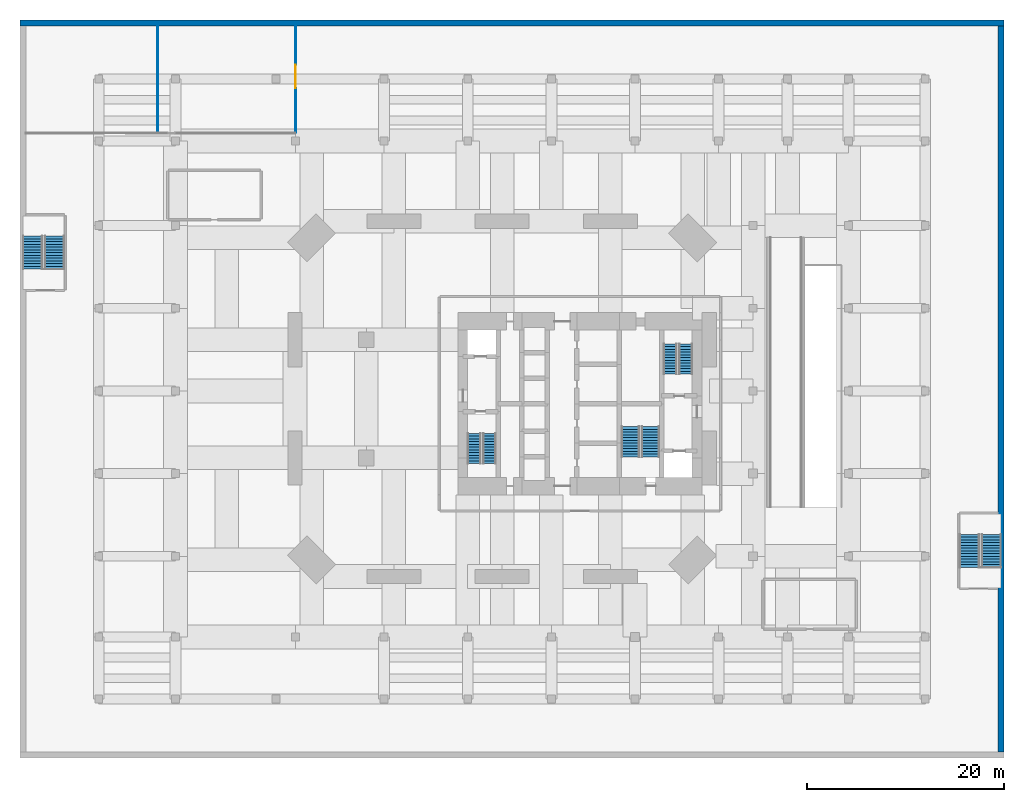
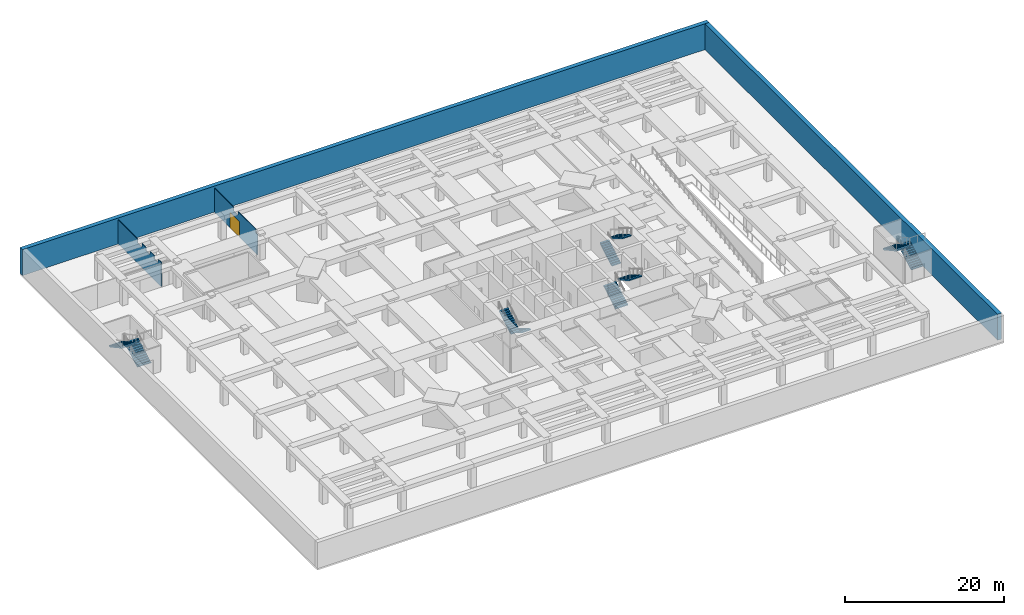
# One storey, part 8 of 10: 10 stair flights, 4 walls, 1 door, 1 opening, 5 elements without a shape of their own.
"""IFC4 building model written with IfcOpenShell, lengths in metres."""

from ifc_helpers import new_model, si_unit, direction, frame, frame_2d, origin, place, context, subcontext, project, spatial, polyline, rectangle, outline, extrude, material, layer, layer_set, constituent, constituent_set, type_object, element, fill, aggregate, save


model = new_model("IFC4")

# Units and contexts
model_context = context("Model", 3, precision=1e-05, world=origin(), true_north=direction((0.0, 1.0)))
body_context = subcontext(model_context, "Body", "Model", "MODEL_VIEW")
ifc_project = project(units=[si_unit("LENGTHUNIT", "METRE"), si_unit("AREAUNIT", "SQUARE_METRE"), si_unit("VOLUMEUNIT", "CUBIC_METRE"), si_unit("PLANEANGLEUNIT", "RADIAN"), si_unit("MASSUNIT", "GRAM", prefix="KILO")], contexts=[model_context])

# Site, building, storey
site_placement = place(None, origin())
site = spatial("IfcSite", under=ifc_project, at=site_placement, CompositionType="ELEMENT")
building_placement = place(site_placement, origin())
building = spatial("IfcBuilding", under=site, at=building_placement, Name="Jalousie Tower", CompositionType="ELEMENT")
storey_placement = place(building_placement, frame((0.0, 0.0, -4.0)))
storey = spatial("IfcBuildingStorey", under=building, at=storey_placement, Name="B1", CompositionType="ELEMENT", Elevation=-4.0)

# Walls
ifc_material_1 = material(Name="Concrete f'c 120 MPa", Category="concrete")
ifc_layer = layer(ifc_material_1, 0.60009765625)
ifc_layer_set = layer_set([ifc_layer], Name="Concrete f'c 120 MPa")
wall_type_1 = type_object("IfcWallType", Name="BASEMENT RETAINING WALL 600", PredefinedType="SOLIDWALL", material=ifc_layer_set)
wall_1_placement = place(storey_placement, frame((74.699951171875, -16.89990234375, 0.0), z_axis=(0.0, 0.0, 1.0), x_axis=(0.0, 1.0, 0.0)))
element("IfcWall", 1, at=wall_1_placement, inside=storey, type_object=wall_type_1, Name="Basement wall E B1", PredefinedType="SOLIDWALL", context=body_context, shape_type="SweptSolid", body=[
    extrude(rectangle(XDim=73.7998046875, YDim=0.60009765625, at=frame_2d((36.89990234375, 0.0))), origin(), (0.0, 0.0, 1.0), 4.0),
])
wall_2_placement = place(storey_placement, frame((75.0, 57.199951171875, 0.0), z_axis=(0.0, 0.0, 1.0), x_axis=(-1.0, 0.0, 0.0)))
element("IfcWall", 2, at=wall_2_placement, inside=storey, type_object=wall_type_1, Name="Basement wall N B1", PredefinedType="SOLIDWALL", context=body_context, shape_type="SweptSolid", body=[
    extrude(rectangle(XDim=100.0, YDim=0.60009765625, at=frame_2d((50.0, 0.0))), origin(), (0.0, 0.0, 1.0), 4.0),
])

# Wall, opening, door
ifc_material_2 = material(Name="Type X gypsum board", Category="gypsum")
ifc_constituent_1 = constituent(ifc_material_2, Name="Body")
ifc_material_3 = material(Name="Light-gauge steel studs ASTM A653 SS Grade 33", Category="steel")
ifc_constituent_2 = constituent(ifc_material_3, Name="Framing")
ifc_constituent_set_1 = constituent_set(constituents=[ifc_constituent_1, ifc_constituent_2])
wall_type_2 = type_object("IfcWallType", Name="FIRE PARTITION 100", PredefinedType="PARTITIONING", material=ifc_constituent_set_1)
wall_3_placement = place(storey_placement, frame((3.0, 46.050048828125, 0.0), z_axis=(0.0, 0.0, 1.0), x_axis=(0.0, 1.0, 0.0)))
wall_3 = element("IfcWall", 3, at=wall_3_placement, inside=storey, type_object=wall_type_2, Name="Fire Partition 100 B1", PredefinedType="PARTITIONING", context=body_context, shape_type="SweptSolid", body=[
    extrude(outline(polyline([(0.0, 0.0), (10.849853515625, 0.0), (10.85009765625, 3.719970703125), (6.010009765625, 3.719970703125), (6.010009765625, 3.1201171875), (4.889892578125, 3.1201171875), (4.889892578125, 3.719970703125), (0.409912109375, 3.719970703125), (0.409912109375, 3.1201171875), (0.0, 3.1201171875), (0.0, 3.719970703125), (0.0, 0.0)])), frame((0.0, 0.050048828125, 0.0), z_axis=(0.0, -1.0, 0.0), x_axis=(1.0, 0.0, 0.0)), (0.0, 0.0, 1.0), 0.10009765625),
])
opening_placement = place(wall_3_placement, frame((4.5, 0.0, 0.0)))
opening = element("IfcOpeningElement", 4, at=opening_placement, cuts=wall_3, Name="Opening D9", PredefinedType="OPENING", context=body_context, shape_type="SweptSolid", body=[
    extrude(rectangle(XDim=2.39990234375, YDim=2.39990234375, at=frame_2d((1.199951171875, 1.199951171875))), frame((0.0, 0.06005859375, 0.0), z_axis=(0.0, -1.0, 0.0), x_axis=(1.0, 0.0, 0.0)), (0.0, 0.0, 1.0), 0.1201171875),
])
ifc_material_4 = material(Name="Steel fire door", Category="steel")
door_type = type_object("IfcDoorType", Name="PLANT DOOR 2400", OperationType="DOUBLE_DOOR_SINGLE_SWING", PredefinedType="DOOR", material=ifc_material_4)
door_placement = place(opening_placement, origin())
door = element("IfcDoor", 5, at=door_placement, inside=storey, type_object=door_type, Name="Plant room door", OperationType="DOUBLE_DOOR_SINGLE_SWING", OverallHeight=2.39990234375, OverallWidth=2.39990234375, PredefinedType="DOOR", context=body_context, shape_type="SweptSolid", body=[
    extrude(rectangle(XDim=2.39990234375, YDim=2.39990234375, at=frame_2d((1.199951171875, 1.199951171875))), frame((0.0, 0.02490234375, 0.0), z_axis=(0.0, -1.0, 0.0), x_axis=(1.0, 0.0, 0.0)), (0.0, 0.0, 1.0), 0.050048828125),
])
fill(opening, door)

# Wall
ifc_material_5 = material(Name="Gypsum board", Category="gypsum")
ifc_constituent_3 = constituent(ifc_material_5, Name="Body")
ifc_material_6 = material(Name="Light-gauge steel studs ASTM A653 SS Grade 33", Category="steel")
ifc_constituent_4 = constituent(ifc_material_6, Name="Framing")
ifc_constituent_set_2 = constituent_set(constituents=[ifc_constituent_3, ifc_constituent_4])
wall_type_3 = type_object("IfcWallType", Name="PARTITION 100", PredefinedType="PARTITIONING", material=ifc_constituent_set_2)
wall_4_placement = place(storey_placement, frame((-11.0, 46.050048828125, 0.0), z_axis=(0.0, 0.0, 1.0), x_axis=(0.0, 1.0, 0.0)))
element("IfcWall", 6, at=wall_4_placement, inside=storey, type_object=wall_type_3, Name="Partition 100 B1", PredefinedType="PARTITIONING", context=body_context, shape_type="SweptSolid", body=[
    extrude(outline(polyline([(0.0, 0.0), (10.849853515625, 0.0), (10.85009765625, 3.719970703125), (6.010009765625, 3.719970703125), (6.010009765625, 3.1201171875), (4.889892578125, 3.1201171875), (4.889892578125, 3.719970703125), (3.860107421875, 3.719970703125), (3.860107421875, 3.219970703125), (2.840087890625, 3.219970703125), (2.840087890625, 3.719970703125), (1.760009765625, 3.719970703125), (1.760009765625, 3.219970703125), (0.739990234375, 3.219970703125), (0.739990234375, 3.719970703125), (0.0, 3.719970703125), (0.0, 0.0)])), frame((0.0, 0.050048828125, 0.0), z_axis=(0.0, -1.0, 0.0), x_axis=(1.0, 0.0, 0.0)), (0.0, 0.0, 1.0), 0.10009765625),
])

# Stair, stair flights
ifc_material_7 = material(Name="Concrete f'c 40 MPa", Category="concrete")
stair_type_1 = type_object("IfcStairType", Name="EXIT STAIR", PredefinedType="HALF_TURN_STAIR", material=ifc_material_7)
stair_1_placement = place(storey_placement, origin())
stair_1 = element("IfcStair", 7, at=stair_1_placement, inside=storey, type_object=stair_type_1, Name="Exit stair A B1", PredefinedType="HALF_TURN_STAIR")
ifc_material_8 = material(Name="Concrete f'c 40 MPa", Category="concrete")
stair_flight_type_1 = type_object("IfcStairFlightType", Name="STAIR FLIGHT", PredefinedType="STRAIGHT", material=ifc_material_8)
stair_flight_1_placement = place(storey_placement, frame((22.71875, 15.49755859375, 0.0), z_axis=(0.0, 0.0, 1.0), x_axis=(0.0, -1.0, 0.0)))
stair_flight_1 = element("IfcStairFlight", 8, at=stair_flight_1_placement, type_object=stair_flight_type_1, Name="ST-A flight 1", NumberOfRisers=12, NumberOfTreads=11, PredefinedType="STRAIGHT", RiserHeight=0.166666667, TreadLength=0.28, context=body_context, shape_type="SweptSolid", body=[
    extrude(outline(polyline([(0.0, 0.0), (0.0, 0.166748046875), (0.280029296875, 0.166748046875), (0.280029296875, 0.333251953125), (0.56005859375, 0.333251953125), (0.56005859375, 0.5), (0.840087890625, 0.5), (0.840087890625, 0.666748046875), (1.1201171875, 0.666748046875), (1.1201171875, 0.833251953125), (1.39990234375, 0.833251953125), (1.39990234375, 1.0), (1.679931640625, 1.0), (1.679931640625, 1.166748046875), (1.9599609375, 1.166748046875), (1.9599609375, 1.333251953125), (2.239990234375, 1.333251953125), (2.239990234375, 1.5), (2.52001953125, 1.5), (2.52001953125, 1.666748046875), (2.800048828125, 1.666748046875), (2.800048828125, 1.833251953125), (3.080078125, 1.833251953125), (3.080078125, 2.0), (3.080078125, 1.658935546875), (0.29296875, 0.0), (0.0, 0.0)])), frame((0.0, 0.65625, 0.0), z_axis=(0.0, -1.0, 0.0), x_axis=(1.0, 0.0, 0.0)), (0.0, 0.0, 1.0), 1.3125),
])
stair_flight_2_placement = place(storey_placement, frame((21.15625, 12.41748046875, 2.0), z_axis=(0.0, 0.0, 1.0), x_axis=(0.0, 1.0, 0.0)))
stair_flight_2 = element("IfcStairFlight", 9, at=stair_flight_2_placement, type_object=stair_flight_type_1, Name="ST-A flight 2", NumberOfRisers=12, NumberOfTreads=11, PredefinedType="STRAIGHT", RiserHeight=0.166666667, TreadLength=0.28, context=body_context, shape_type="SweptSolid", body=[
    extrude(outline(polyline([(0.0, 0.0), (0.0, 0.166748046875), (0.280029296875, 0.166748046875), (0.280029296875, 0.333251953125), (0.56005859375, 0.333251953125), (0.56005859375, 0.5), (0.840087890625, 0.5), (0.840087890625, 0.666748046875), (1.1201171875, 0.666748046875), (1.1201171875, 0.833251953125), (1.39990234375, 0.833251953125), (1.39990234375, 1.0), (1.679931640625, 1.0), (1.679931640625, 1.166748046875), (1.9599609375, 1.166748046875), (1.9599609375, 1.333251953125), (2.239990234375, 1.333251953125), (2.239990234375, 1.5), (2.52001953125, 1.5), (2.52001953125, 1.666748046875), (2.800048828125, 1.666748046875), (2.800048828125, 1.833251953125), (3.080078125, 1.833251953125), (3.080078125, 2.0), (3.080078125, 1.658935546875), (0.29296875, 0.0), (0.0, 0.0)])), frame((0.0, 0.65625, 0.0), z_axis=(0.0, -1.0, 0.0), x_axis=(1.0, 0.0, 0.0)), (0.0, 0.0, 1.0), 1.3125),
])
aggregate(stair_1, [stair_flight_1, stair_flight_2])

stair_2_placement = place(storey_placement, origin())
stair_2 = element("IfcStair", 10, at=stair_2_placement, inside=storey, type_object=stair_type_1, Name="Exit stair B B1", PredefinedType="HALF_TURN_STAIR")
stair_flight_3_placement = place(storey_placement, frame((41.081298828125, 21.50244140625, 0.0), z_axis=(0.0, 0.0, 1.0), x_axis=(0.0, 1.0, 0.0)))
stair_flight_3 = element("IfcStairFlight", 11, at=stair_flight_3_placement, type_object=stair_flight_type_1, Name="ST-B flight 1", NumberOfRisers=12, NumberOfTreads=11, PredefinedType="STRAIGHT", RiserHeight=0.166666667, TreadLength=0.28, context=body_context, shape_type="SweptSolid", body=[
    extrude(outline(polyline([(0.0, 0.0), (0.0, 0.166748046875), (0.280029296875, 0.166748046875), (0.280029296875, 0.333251953125), (0.56005859375, 0.333251953125), (0.56005859375, 0.5), (0.840087890625, 0.5), (0.840087890625, 0.666748046875), (1.1201171875, 0.666748046875), (1.1201171875, 0.833251953125), (1.39990234375, 0.833251953125), (1.39990234375, 1.0), (1.679931640625, 1.0), (1.679931640625, 1.166748046875), (1.9599609375, 1.166748046875), (1.9599609375, 1.333251953125), (2.239990234375, 1.333251953125), (2.239990234375, 1.5), (2.52001953125, 1.5), (2.52001953125, 1.666748046875), (2.800048828125, 1.666748046875), (2.800048828125, 1.833251953125), (3.080078125, 1.833251953125), (3.080078125, 2.0), (3.080078125, 1.658935546875), (0.29296875, 0.0), (0.0, 0.0)])), frame((0.0, 0.65625, 0.0), z_axis=(0.0, -1.0, 0.0), x_axis=(1.0, 0.0, 0.0)), (0.0, 0.0, 1.0), 1.3125),
])
stair_flight_4_placement = place(storey_placement, frame((42.643798828125, 24.58251953125, 2.0), z_axis=(0.0, 0.0, 1.0), x_axis=(0.0, -1.0, 0.0)))
stair_flight_4 = element("IfcStairFlight", 12, at=stair_flight_4_placement, type_object=stair_flight_type_1, Name="ST-B flight 2", NumberOfRisers=12, NumberOfTreads=11, PredefinedType="STRAIGHT", RiserHeight=0.166666667, TreadLength=0.28, context=body_context, shape_type="SweptSolid", body=[
    extrude(outline(polyline([(0.0, 0.0), (0.0, 0.166748046875), (0.280029296875, 0.166748046875), (0.280029296875, 0.333251953125), (0.56005859375, 0.333251953125), (0.56005859375, 0.5), (0.840087890625, 0.5), (0.840087890625, 0.666748046875), (1.1201171875, 0.666748046875), (1.1201171875, 0.833251953125), (1.39990234375, 0.833251953125), (1.39990234375, 1.0), (1.679931640625, 1.0), (1.679931640625, 1.166748046875), (1.9599609375, 1.166748046875), (1.9599609375, 1.333251953125), (2.239990234375, 1.333251953125), (2.239990234375, 1.5), (2.52001953125, 1.5), (2.52001953125, 1.666748046875), (2.800048828125, 1.666748046875), (2.800048828125, 1.833251953125), (3.080078125, 1.833251953125), (3.080078125, 2.0), (3.080078125, 1.658935546875), (0.29296875, 0.0), (0.0, 0.0)])), frame((0.0, 0.65625, 0.0), z_axis=(0.0, -1.0, 0.0), x_axis=(1.0, 0.0, 0.0)), (0.0, 0.0, 1.0), 1.3125),
])
aggregate(stair_2, [stair_flight_3, stair_flight_4])

stair_3_placement = place(storey_placement, origin())
stair_3 = element("IfcStair", 13, at=stair_3_placement, inside=storey, type_object=stair_type_1, Name="Exit stair C B1", PredefinedType="HALF_TURN_STAIR")
stair_flight_5_placement = place(storey_placement, frame((37.02490234375, 13.097412109375, 0.0), z_axis=(0.0, 0.0, 1.0), x_axis=(0.0, 1.0, 0.0)))
stair_flight_5 = element("IfcStairFlight", 14, at=stair_flight_5_placement, type_object=stair_flight_type_1, Name="ST-C flight 1", NumberOfRisers=12, NumberOfTreads=11, PredefinedType="STRAIGHT", RiserHeight=0.166666667, TreadLength=0.28, context=body_context, shape_type="SweptSolid", body=[
    extrude(outline(polyline([(0.0, 0.0), (0.0, 0.166748046875), (0.280029296875, 0.166748046875), (0.280029296875, 0.333251953125), (0.56005859375, 0.333251953125), (0.56005859375, 0.5), (0.840087890625, 0.5), (0.840087890625, 0.666748046875), (1.1201171875, 0.666748046875), (1.1201171875, 0.833251953125), (1.39990234375, 0.833251953125), (1.39990234375, 1.0), (1.679931640625, 1.0), (1.679931640625, 1.166748046875), (1.9599609375, 1.166748046875), (1.9599609375, 1.333251953125), (2.239990234375, 1.333251953125), (2.239990234375, 1.5), (2.52001953125, 1.5), (2.52001953125, 1.666748046875), (2.800048828125, 1.666748046875), (2.800048828125, 1.833251953125), (3.080078125, 1.833251953125), (3.080078125, 2.0), (3.080078125, 1.658935546875), (0.29296875, 0.0), (0.0, 0.0)])), frame((0.0, 0.89990234375, 0.0), z_axis=(0.0, -1.0, 0.0), x_axis=(1.0, 0.0, 0.0)), (0.0, 0.0, 1.0), 1.800048828125),
])
stair_flight_6_placement = place(storey_placement, frame((39.074951171875, 16.177490234375, 2.0), z_axis=(0.0, 0.0, 1.0), x_axis=(0.0, -1.0, 0.0)))
stair_flight_6 = element("IfcStairFlight", 15, at=stair_flight_6_placement, type_object=stair_flight_type_1, Name="ST-C flight 2", NumberOfRisers=12, NumberOfTreads=11, PredefinedType="STRAIGHT", RiserHeight=0.166666667, TreadLength=0.28, context=body_context, shape_type="SweptSolid", body=[
    extrude(outline(polyline([(0.0, 0.0), (0.0, 0.166748046875), (0.280029296875, 0.166748046875), (0.280029296875, 0.333251953125), (0.56005859375, 0.333251953125), (0.56005859375, 0.5), (0.840087890625, 0.5), (0.840087890625, 0.666748046875), (1.1201171875, 0.666748046875), (1.1201171875, 0.833251953125), (1.39990234375, 0.833251953125), (1.39990234375, 1.0), (1.679931640625, 1.0), (1.679931640625, 1.166748046875), (1.9599609375, 1.166748046875), (1.9599609375, 1.333251953125), (2.239990234375, 1.333251953125), (2.239990234375, 1.5), (2.52001953125, 1.5), (2.52001953125, 1.666748046875), (2.800048828125, 1.666748046875), (2.800048828125, 1.833251953125), (3.080078125, 1.833251953125), (3.080078125, 2.0), (3.080078125, 1.658935546875), (0.29296875, 0.0), (0.0, 0.0)])), frame((0.0, 0.89990234375, 0.0), z_axis=(0.0, -1.0, 0.0), x_axis=(1.0, 0.0, 0.0)), (0.0, 0.0, 1.0), 1.800048828125),
])
aggregate(stair_3, [stair_flight_5, stair_flight_6])

ifc_material_9 = material(Name="Concrete f'c 40 MPa", Category="concrete")
stair_type_2 = type_object("IfcStairType", Name="WIDE EXIT STAIR", PredefinedType="HALF_TURN_STAIR", material=ifc_material_9)
stair_4_placement = place(storey_placement, origin())
stair_4 = element("IfcStair", 16, at=stair_4_placement, inside=storey, type_object=stair_type_2, Name="Exit stair BS1 B1", PredefinedType="HALF_TURN_STAIR")
ifc_material_10 = material(Name="Concrete f'c 40 MPa", Category="concrete")
stair_flight_type_2 = type_object("IfcStairFlightType", Name="WIDE STAIR FLIGHT", PredefinedType="STRAIGHT", material=ifc_material_10)
stair_flight_7_placement = place(storey_placement, frame((-21.487548828125, 32.169921875, 0.0), z_axis=(0.0, 0.0, 1.0), x_axis=(0.0, 1.0, 0.0)))
stair_flight_7 = element("IfcStairFlight", 17, at=stair_flight_7_placement, type_object=stair_flight_type_2, Name="BS1 flight 1", NumberOfRisers=13, NumberOfTreads=12, PredefinedType="STRAIGHT", RiserHeight=0.153846154, TreadLength=0.28, context=body_context, shape_type="SweptSolid", body=[
    extrude(outline(polyline([(0.0, 0.0), (0.0, 0.15380859375), (0.280029296875, 0.15380859375), (0.280029296875, 0.3076171875), (0.56005859375, 0.3076171875), (0.56005859375, 0.46142578125), (0.840087890625, 0.46142578125), (0.840087890625, 0.615478515625), (1.1201171875, 0.615478515625), (1.1201171875, 0.769287109375), (1.39990234375, 0.769287109375), (1.39990234375, 0.923095703125), (1.679931640625, 0.923095703125), (1.679931640625, 1.076904296875), (1.9599609375, 1.076904296875), (1.9599609375, 1.230712890625), (2.239990234375, 1.230712890625), (2.239990234375, 1.384521484375), (2.52001953125, 1.384521484375), (2.52001953125, 1.53857421875), (2.800048828125, 1.53857421875), (2.800048828125, 1.6923828125), (3.080078125, 1.6923828125), (3.080078125, 1.84619140625), (3.360107421875, 1.84619140625), (3.360107421875, 2.0), (3.360107421875, 1.675048828125), (0.311279296875, 0.0), (0.0, 0.0)])), frame((0.0, 0.987548828125, 0.0), z_axis=(0.0, -1.0, 0.0), x_axis=(1.0, 0.0, 0.0)), (0.0, 0.0, 1.0), 1.97509765625),
])
stair_flight_8_placement = place(storey_placement, frame((-23.71240234375, 35.530029296875, 2.0), z_axis=(0.0, 0.0, 1.0), x_axis=(0.0, -1.0, 0.0)))
stair_flight_8 = element("IfcStairFlight", 18, at=stair_flight_8_placement, type_object=stair_flight_type_2, Name="BS1 flight 2", NumberOfRisers=13, NumberOfTreads=12, PredefinedType="STRAIGHT", RiserHeight=0.153846154, TreadLength=0.28, context=body_context, shape_type="SweptSolid", body=[
    extrude(outline(polyline([(0.0, 0.0), (0.0, 0.15380859375), (0.280029296875, 0.15380859375), (0.280029296875, 0.3076171875), (0.56005859375, 0.3076171875), (0.56005859375, 0.46142578125), (0.840087890625, 0.46142578125), (0.840087890625, 0.615478515625), (1.1201171875, 0.615478515625), (1.1201171875, 0.769287109375), (1.39990234375, 0.769287109375), (1.39990234375, 0.923095703125), (1.679931640625, 0.923095703125), (1.679931640625, 1.076904296875), (1.9599609375, 1.076904296875), (1.9599609375, 1.230712890625), (2.239990234375, 1.230712890625), (2.239990234375, 1.384521484375), (2.52001953125, 1.384521484375), (2.52001953125, 1.53857421875), (2.800048828125, 1.53857421875), (2.800048828125, 1.6923828125), (3.080078125, 1.6923828125), (3.080078125, 1.84619140625), (3.360107421875, 1.84619140625), (3.360107421875, 2.0), (3.360107421875, 1.675048828125), (0.311279296875, 0.0), (0.0, 0.0)])), frame((0.0, 0.987548828125, 0.0), z_axis=(0.0, -1.0, 0.0), x_axis=(1.0, 0.0, 0.0)), (0.0, 0.0, 1.0), 1.97509765625),
])
aggregate(stair_4, [stair_flight_7, stair_flight_8])

stair_5_placement = place(storey_placement, origin())
stair_5 = element("IfcStair", 19, at=stair_5_placement, inside=storey, type_object=stair_type_2, Name="Exit stair BS2 B1", PredefinedType="HALF_TURN_STAIR")
stair_flight_9_placement = place(storey_placement, frame((73.71240234375, 1.8701171875, 0.0), z_axis=(0.0, 0.0, 1.0), x_axis=(0.0, 1.0, 0.0)))
stair_flight_9 = element("IfcStairFlight", 20, at=stair_flight_9_placement, type_object=stair_flight_type_2, Name="BS2 flight 1", NumberOfRisers=13, NumberOfTreads=12, PredefinedType="STRAIGHT", RiserHeight=0.153846154, TreadLength=0.28, context=body_context, shape_type="SweptSolid", body=[
    extrude(outline(polyline([(0.0, 0.0), (0.0, 0.15380859375), (0.280029296875, 0.15380859375), (0.280029296875, 0.3076171875), (0.56005859375, 0.3076171875), (0.56005859375, 0.46142578125), (0.840087890625, 0.46142578125), (0.840087890625, 0.615478515625), (1.1201171875, 0.615478515625), (1.1201171875, 0.769287109375), (1.39990234375, 0.769287109375), (1.39990234375, 0.923095703125), (1.679931640625, 0.923095703125), (1.679931640625, 1.076904296875), (1.9599609375, 1.076904296875), (1.9599609375, 1.230712890625), (2.239990234375, 1.230712890625), (2.239990234375, 1.384521484375), (2.52001953125, 1.384521484375), (2.52001953125, 1.53857421875), (2.800048828125, 1.53857421875), (2.800048828125, 1.6923828125), (3.080078125, 1.6923828125), (3.080078125, 1.84619140625), (3.360107421875, 1.84619140625), (3.360107421875, 2.0), (3.360107421875, 1.675048828125), (0.311279296875, 0.0), (0.0, 0.0)])), frame((0.0, 0.987548828125, 0.0), z_axis=(0.0, -1.0, 0.0), x_axis=(1.0, 0.0, 0.0)), (0.0, 0.0, 1.0), 1.97509765625),
])
stair_flight_10_placement = place(storey_placement, frame((71.487548828125, 5.22998046875, 2.0), z_axis=(0.0, 0.0, 1.0), x_axis=(0.0, -1.0, 0.0)))
stair_flight_10 = element("IfcStairFlight", 21, at=stair_flight_10_placement, type_object=stair_flight_type_2, Name="BS2 flight 2", NumberOfRisers=13, NumberOfTreads=12, PredefinedType="STRAIGHT", RiserHeight=0.153846154, TreadLength=0.28, context=body_context, shape_type="SweptSolid", body=[
    extrude(outline(polyline([(0.0, 0.0), (0.0, 0.15380859375), (0.280029296875, 0.15380859375), (0.280029296875, 0.3076171875), (0.56005859375, 0.3076171875), (0.56005859375, 0.46142578125), (0.840087890625, 0.46142578125), (0.840087890625, 0.615478515625), (1.1201171875, 0.615478515625), (1.1201171875, 0.769287109375), (1.39990234375, 0.769287109375), (1.39990234375, 0.923095703125), (1.679931640625, 0.923095703125), (1.679931640625, 1.076904296875), (1.9599609375, 1.076904296875), (1.9599609375, 1.230712890625), (2.239990234375, 1.230712890625), (2.239990234375, 1.384521484375), (2.52001953125, 1.384521484375), (2.52001953125, 1.53857421875), (2.800048828125, 1.53857421875), (2.800048828125, 1.6923828125), (3.080078125, 1.6923828125), (3.080078125, 1.84619140625), (3.360107421875, 1.84619140625), (3.360107421875, 2.0), (3.360107421875, 1.675048828125), (0.311279296875, 0.0), (0.0, 0.0)])), frame((0.0, 0.987548828125, 0.0), z_axis=(0.0, -1.0, 0.0), x_axis=(1.0, 0.0, 0.0)), (0.0, 0.0, 1.0), 1.97509765625),
])
aggregate(stair_5, [stair_flight_9, stair_flight_10])

save(model, "model.ifc")
